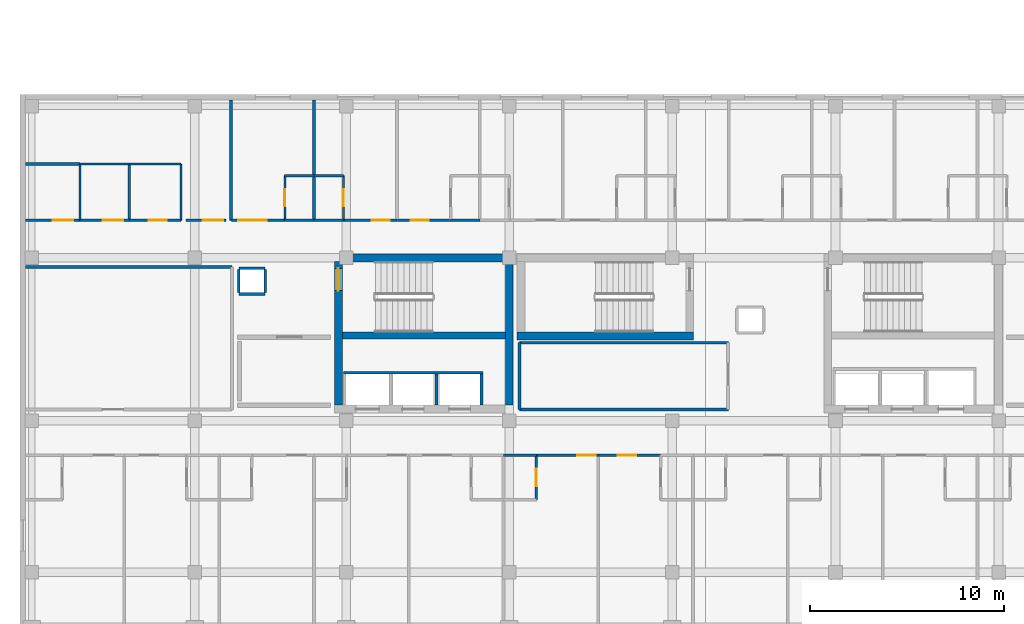
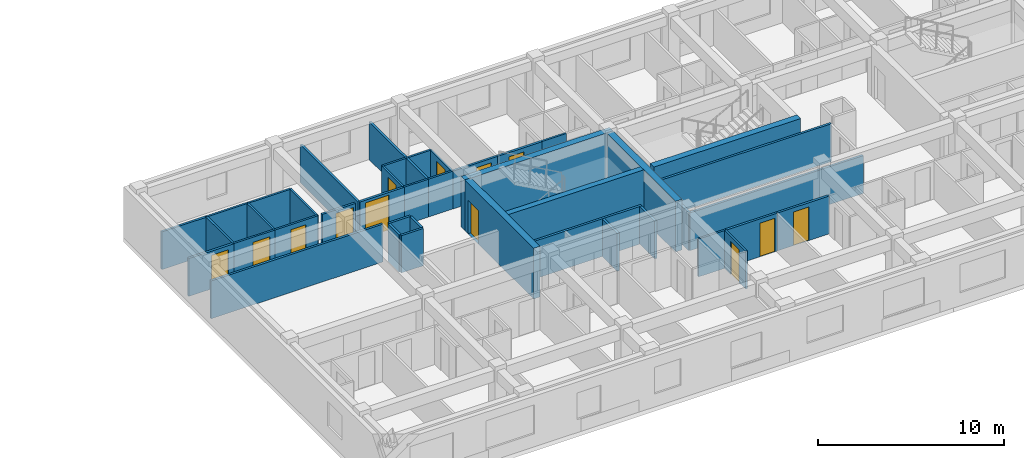
# One storey, part 132 of 144: 42 walls, 13 doors, 13 openings.
"""IFC4 building model written with IfcOpenShell, lengths in metres."""

from ifc_helpers import new_model, si_unit, direction, frame, frame_2d, origin, place, context, subcontext, project, spatial, rectangle, extrude, material, layer, layer_set, type_object, element, fill, save


model = new_model("IFC4")

# Units and contexts
model_context = context("Model", 3, precision=1e-05, world=origin(), true_north=direction((0.0, 1.0)))
body_context = subcontext(model_context, "Body", "Model", "MODEL_VIEW")
ifc_project = project(units=[si_unit("LENGTHUNIT", "METRE"), si_unit("AREAUNIT", "SQUARE_METRE"), si_unit("VOLUMEUNIT", "CUBIC_METRE"), si_unit("PLANEANGLEUNIT", "RADIAN"), si_unit("MASSUNIT", "GRAM", prefix="KILO")], contexts=[model_context])

# Site, building, storey
site_placement = place(None, origin())
site = spatial("IfcSite", under=ifc_project, at=site_placement, CompositionType="ELEMENT")
building_placement = place(site_placement, origin())
building = spatial("IfcBuilding", under=site, at=building_placement, Name="Zayran Congress Hotel", CompositionType="ELEMENT")
storey_placement = place(building_placement, frame((0.0, 0.0, 19.199951171875)))
storey = spatial("IfcBuildingStorey", under=building, at=storey_placement, Name="L04", CompositionType="ELEMENT", Elevation=19.199951171875)

# Wall
ifc_material_1 = material(Name="Concrete C40/50", Category="concrete")
ifc_layer_1 = layer(ifc_material_1, 0.39990234375)
ifc_layer_set_1 = layer_set([ifc_layer_1], Name="Concrete C40/50")
wall_type_1 = type_object("IfcWallType", Name="WL-SH-400", PredefinedType="SHEAR", material=ifc_layer_set_1)
wall_1_placement = place(storey_placement, frame((33.800048828125, 25.5849609375, 0.0), z_axis=(0.0, 0.0, 1.0), x_axis=(-1.0, 0.0, 0.0)))
element("IfcWall", 1, at=wall_1_placement, inside=storey, type_object=wall_type_1, Name="CWALL-C-V5W-L04-N", PredefinedType="SHEAR", context=body_context, shape_type="SweptSolid", body=[
    extrude(rectangle(XDim=9.199951171875, YDim=0.39990234375, at=frame_2d((4.60009765625, 0.0))), origin(), (0.0, 0.0, 1.0), 3.320068359375),
])

# Wall, opening, door
wall_2_placement = place(storey_placement, frame((24.800048828125, 25.39990234375, 0.0), z_axis=(0.0, 0.0, 1.0), x_axis=(0.0, -1.0, 0.0)))
wall_2 = element("IfcWall", 2, at=wall_2_placement, inside=storey, type_object=wall_type_1, Name="CWALL-C-V5W-L04-W", PredefinedType="SHEAR", context=body_context, shape_type="SweptSolid", body=[
    extrude(rectangle(XDim=7.39990234375, YDim=0.39990234375, at=frame_2d((3.699951171875, 0.0))), origin(), (0.0, 0.0, 1.0), 3.320068359375),
])
opening_1_placement = place(wall_2_placement, frame((0.35009765625, 0.0, 0.0)))
opening_1 = element("IfcOpeningElement", 3, at=opening_1_placement, cuts=wall_2, Name="Opening DR-FD-90", PredefinedType="OPENING", context=body_context, shape_type="SweptSolid", body=[
    extrude(rectangle(XDim=1.14990234375, YDim=2.199951171875, at=frame_2d((0.574951171875, 1.10009765625))), frame((0.0, 0.2099609375, 0.0), z_axis=(0.0, -1.0, 0.0), x_axis=(1.0, 0.0, 0.0)), (0.0, 0.0, 1.0), 0.419921875),
])
ifc_material_2 = material(Name="Painted steel fire door assembly", Category="steel")
door_type_1 = type_object("IfcDoorType", Name="TP-DR-FD-90", OperationType="NOTDEFINED", PredefinedType="DOOR", material=ifc_material_2)
door_1_placement = place(opening_1_placement, origin())
door_1 = element("IfcDoor", 4, at=door_1_placement, inside=storey, type_object=door_type_1, Name="ST-01 Exit Stair Door L04", OperationType="SINGLE_SWING_LEFT", OverallHeight=2.199951171875, OverallWidth=1.14990234375, PredefinedType="DOOR", context=body_context, shape_type="SweptSolid", body=[
    extrude(rectangle(XDim=1.14990234375, YDim=2.199951171875, at=frame_2d((0.574951171875, 1.10009765625))), frame((0.0, 0.02490234375, 0.0), z_axis=(0.0, -1.0, 0.0), x_axis=(1.0, 0.0, 0.0)), (0.0, 0.0, 1.0), 0.050048828125),
])
fill(opening_1, door_1)

# Walls
wall_3_placement = place(storey_placement, frame((33.60009765625, 18.0, 0.0), z_axis=(0.0, 0.0, 1.0), x_axis=(0.0, 1.0, 0.0)))
element("IfcWall", 5, at=wall_3_placement, inside=storey, type_object=wall_type_1, Name="CWALL-C-V5W-L04-E", PredefinedType="SHEAR", context=body_context, shape_type="SweptSolid", body=[
    extrude(rectangle(XDim=7.39990234375, YDim=0.39990234375, at=frame_2d((3.699951171875, 0.0))), origin(), (0.0, 0.0, 1.0), 3.320068359375),
])
wall_4_placement = place(storey_placement, frame((34.0, 21.56005859375, 0.0), z_axis=(0.0, 0.0, 1.0), x_axis=(1.0, 0.0, 0.0)))
element("IfcWall", 6, at=wall_4_placement, inside=storey, type_object=wall_type_1, Name="CWALL-C-V5M-L04-S", PredefinedType="SHEAR", context=body_context, shape_type="SweptSolid", body=[
    extrude(rectangle(XDim=9.10009765625, YDim=0.39990234375, at=frame_2d((4.550048828125, 0.0))), origin(), (0.0, 0.0, 1.0), 3.320068359375),
])
ifc_layer_2 = layer(ifc_material_1, 0.35009765625)
ifc_layer_set_2 = layer_set([ifc_layer_2], Name="Concrete C40/50")
wall_type_2 = type_object("IfcWallType", Name="WL-SH-350", PredefinedType="SHEAR", material=ifc_layer_set_2)
wall_5_placement = place(storey_placement, frame((25.0, 21.5849609375, 0.0), z_axis=(0.0, 0.0, 1.0), x_axis=(1.0, 0.0, 0.0)))
element("IfcWall", 7, at=wall_5_placement, inside=storey, type_object=wall_type_2, Name="CWALL-C-V5W-L04-SPN", PredefinedType="SHEAR", context=body_context, shape_type="SweptSolid", body=[
    extrude(rectangle(XDim=8.39990234375, YDim=0.35009765625, at=frame_2d((4.199951171875, 0.0))), origin(), (0.0, 0.0, 1.0), 3.320068359375),
])
ifc_material_3 = material(Name="Hospitality guestroom acoustic partition", Category="gypsum")
ifc_layer_3 = layer(ifc_material_3, 0.139892578125)
ifc_layer_set_3 = layer_set([ifc_layer_3], Name="Hospitality guestroom acoustic partition")
wall_type_3 = type_object("IfcWallType", Name="WL-PT-140", PredefinedType="PARTITIONING", material=ifc_layer_set_3)
for number, where, z_axis, x_axis, name in (
    (8, (29.85009765625, 18.0, 0.0), (0.0, 0.0, 1.0), (0.0, 1.0, 0.0), "LSHW-C-V5W-L04-DIV2"),
    (9, (32.169921875, 18.0, 0.0), (0.0, 0.0, 1.0), (0.0, 1.0, 0.0), "LSHW-C-V5W-L04-E"),
):
    element("IfcWall", number, at=place(storey_placement, frame(where, z_axis=z_axis, x_axis=x_axis)), inside=storey, type_object=wall_type_3, Name=name, PredefinedType="PARTITIONING", context=body_context, shape_type="SweptSolid", body=[
        extrude(rectangle(XDim=1.60009765625, YDim=0.139892578125, at=frame_2d((0.800048828125, 0.0))), origin(), (0.0, 0.0, 1.0), 2.469970703125),
    ])
wall_6_placement = place(storey_placement, frame((25.06005859375, 19.669921875, 0.0), z_axis=(0.0, 0.0, 1.0), x_axis=(1.0, 0.0, 0.0)))
element("IfcWall", 10, at=wall_6_placement, inside=storey, type_object=wall_type_3, Name="LSHW-C-V5W-L04-N", PredefinedType="PARTITIONING", context=body_context, shape_type="SweptSolid", body=[
    extrude(rectangle(XDim=7.179931640625, YDim=0.139892578125, at=frame_2d((3.58984375, 0.0))), origin(), (0.0, 0.0, 1.0), 2.469970703125),
])

# Wall, opening, door
wall_7_placement = place(storey_placement, frame((34.98193359375, 15.419921875, 0.0), z_axis=(0.0, 0.0, 1.0), x_axis=(1.0, 0.0, 0.0)))
wall_7 = element("IfcWall", 11, at=wall_7_placement, inside=storey, type_object=wall_type_3, Name="IW-L04-0623", PredefinedType="PARTITIONING", context=body_context, shape_type="SweptSolid", body=[
    extrude(rectangle(XDim=3.2021484375, YDim=0.139892578125, at=frame_2d((1.60107421875, 0.0))), origin(), (0.0, 0.0, 1.0), 2.47998046875),
])
opening_2_placement = place(wall_7_placement, frame((2.1220703125, 0.0, 0.0)))
opening_2 = element("IfcOpeningElement", 12, at=opening_2_placement, cuts=wall_7, Name="Opening DR-GR-01", PredefinedType="OPENING", context=body_context, shape_type="SweptSolid", body=[
    extrude(rectangle(XDim=0.93994140625, YDim=2.199951171875, at=frame_2d((0.469970703125, 1.10009765625))), frame((0.0, 0.079833984375, 0.0), z_axis=(0.0, -1.0, 0.0), x_axis=(1.0, 0.0, 0.0)), (0.0, 0.0, 1.0), 0.159912109375),
])
ifc_material_4 = material(Name="Acoustic walnut veneer fire-rated entry door", Category="wood")
door_type_2 = type_object("IfcDoorType", Name="TP-DR-GR-01", OperationType="NOTDEFINED", PredefinedType="DOOR", material=ifc_material_4)
door_2_placement = place(opening_2_placement, origin())
door_2 = element("IfcDoor", 13, at=door_2_placement, inside=storey, type_object=door_type_2, Name="Guest Room L04-06 Door", OperationType="SINGLE_SWING_LEFT", OverallHeight=2.199951171875, OverallWidth=0.93994140625, PredefinedType="DOOR", context=body_context, shape_type="SweptSolid", body=[
    extrude(rectangle(XDim=0.93994140625, YDim=2.199951171875, at=frame_2d((0.469970703125, 1.10009765625))), frame((0.0, 0.02490234375, 0.0), z_axis=(0.0, -1.0, 0.0), x_axis=(1.0, 0.0, 0.0)), (0.0, 0.0, 1.0), 0.050048828125),
])
fill(opening_2, door_2)

wall_8_placement = place(storey_placement, frame((38.2041015625, 15.419921875, 0.0), z_axis=(0.0, 0.0, 1.0), x_axis=(1.0, 0.0, 0.0)))
wall_8 = element("IfcWall", 14, at=wall_8_placement, inside=storey, type_object=wall_type_3, Name="IW-L04-0624", PredefinedType="PARTITIONING", context=body_context, shape_type="SweptSolid", body=[
    extrude(rectangle(XDim=3.201904296875, YDim=0.139892578125, at=frame_2d((1.60107421875, 0.0))), origin(), (0.0, 0.0, 1.0), 2.47998046875),
])
opening_3_placement = place(wall_8_placement, frame((0.989013671875, 0.0, 0.0)))
opening_3 = element("IfcOpeningElement", 15, at=opening_3_placement, cuts=wall_8, Name="Opening DR-GR-01", PredefinedType="OPENING", context=body_context, shape_type="SweptSolid", body=[
    extrude(rectangle(XDim=0.93994140625, YDim=2.199951171875, at=frame_2d((0.469970703125, 1.10009765625))), frame((0.0, 0.079833984375, 0.0), z_axis=(0.0, -1.0, 0.0), x_axis=(1.0, 0.0, 0.0)), (0.0, 0.0, 1.0), 0.159912109375),
])
door_3_placement = place(opening_3_placement, origin())
door_3 = element("IfcDoor", 16, at=door_3_placement, inside=storey, type_object=door_type_2, Name="Guest Room L04-07 Door", OperationType="SINGLE_SWING_RIGHT", OverallHeight=2.199951171875, OverallWidth=0.93994140625, PredefinedType="DOOR", context=body_context, shape_type="SweptSolid", body=[
    extrude(rectangle(XDim=0.93994140625, YDim=2.199951171875, at=frame_2d((0.469970703125, 1.10009765625))), frame((0.0, 0.02490234375, 0.0), z_axis=(0.0, -1.0, 0.0), x_axis=(1.0, 0.0, 0.0)), (0.0, 0.0, 1.0), 0.050048828125),
])
fill(opening_3, door_3)

wall_9_placement = place(storey_placement, frame((8.679931640625, 27.530029296875, 0.0), z_axis=(0.0, 0.0, 1.0), x_axis=(1.0, 0.0, 0.0)))
wall_9 = element("IfcWall", 17, at=wall_9_placement, inside=storey, type_object=wall_type_3, Name="IW-L04-0635", PredefinedType="PARTITIONING", context=body_context, shape_type="SweptSolid", body=[
    extrude(rectangle(XDim=2.800048828125, YDim=0.139892578125, at=frame_2d((1.39990234375, 0.0))), origin(), (0.0, 0.0, 1.0), 2.47998046875),
])
opening_4_placement = place(wall_9_placement, frame((1.409912109375, 0.0, 0.0)))
opening_4 = element("IfcOpeningElement", 18, at=opening_4_placement, cuts=wall_9, Name="Opening DR-PL-02", PredefinedType="OPENING", context=body_context, shape_type="SweptSolid", body=[
    extrude(rectangle(XDim=1.06005859375, YDim=2.199951171875, at=frame_2d((0.530029296875, 1.10009765625))), frame((0.0, 0.079833984375, 0.0), z_axis=(0.0, -1.0, 0.0), x_axis=(1.0, 0.0, 0.0)), (0.0, 0.0, 1.0), 0.159912109375),
])
ifc_material_5 = material(Name="Painted steel store room fire door", Category="steel")
door_type_3 = type_object("IfcDoorType", Name="TP-DR-PL-02", OperationType="NOTDEFINED", PredefinedType="DOOR", material=ifc_material_5)
door_4_placement = place(opening_4_placement, origin())
door_4 = element("IfcDoor", 19, at=door_4_placement, inside=storey, type_object=door_type_3, Name="Housekeeping and Linen Store L04 Door", OperationType="SINGLE_SWING_LEFT", OverallHeight=2.199951171875, OverallWidth=1.06005859375, PredefinedType="DOOR", context=body_context, shape_type="SweptSolid", body=[
    extrude(rectangle(XDim=1.06005859375, YDim=2.199951171875, at=frame_2d((0.530029296875, 1.10009765625))), frame((0.0, 0.02490234375, 0.0), z_axis=(0.0, -1.0, 0.0), x_axis=(1.0, 0.0, 0.0)), (0.0, 0.0, 1.0), 0.050048828125),
])
fill(opening_4, door_4)

wall_10_placement = place(storey_placement, frame((16.9599609375, 27.530029296875, 0.0), z_axis=(0.0, 0.0, 1.0), x_axis=(1.0, 0.0, 0.0)))
wall_10 = element("IfcWall", 20, at=wall_10_placement, inside=storey, type_object=wall_type_3, Name="IW-L04-0636", PredefinedType="PARTITIONING", context=body_context, shape_type="SweptSolid", body=[
    extrude(rectangle(XDim=2.06005859375, YDim=0.139892578125, at=frame_2d((1.030029296875, 0.0))), origin(), (0.0, 0.0, 1.0), 2.47998046875),
])
opening_5_placement = place(wall_10_placement, frame((0.840087890625, 0.0, 0.0)))
opening_5 = element("IfcOpeningElement", 21, at=opening_5_placement, cuts=wall_10, Name="Opening DR-MT-01", PredefinedType="OPENING", context=body_context, shape_type="SweptSolid", body=[
    extrude(rectangle(XDim=1.080078125, YDim=2.25, at=frame_2d((0.5400390625, 1.125))), frame((0.0, 0.079833984375, 0.0), z_axis=(0.0, -1.0, 0.0), x_axis=(1.0, 0.0, 0.0)), (0.0, 0.0, 1.0), 0.159912109375),
])
ifc_material_6 = material(Name="Acoustic timber seminar room door", Category="wood")
door_type_4 = type_object("IfcDoorType", Name="TP-DR-MT-01", OperationType="NOTDEFINED", PredefinedType="DOOR", material=ifc_material_6)
door_5_placement = place(opening_5_placement, origin())
door_5 = element("IfcDoor", 22, at=door_5_placement, inside=storey, type_object=door_type_4, Name="Delegate Lounge Salon L04 Door", OperationType="SINGLE_SWING_RIGHT", OverallHeight=2.25, OverallWidth=1.080078125, PredefinedType="DOOR", context=body_context, shape_type="SweptSolid", body=[
    extrude(rectangle(XDim=1.080078125, YDim=2.25, at=frame_2d((0.5400390625, 1.125))), frame((0.0, 0.02490234375, 0.0), z_axis=(0.0, -1.0, 0.0), x_axis=(1.0, 0.0, 0.0)), (0.0, 0.0, 1.0), 0.050048828125),
])
fill(opening_5, door_5)

wall_11_placement = place(storey_placement, frame((19.2900390625, 27.530029296875, 0.0), z_axis=(0.0, 0.0, 1.0), x_axis=(1.0, 0.0, 0.0)))
wall_11 = element("IfcWall", 23, at=wall_11_placement, inside=storey, type_object=wall_type_3, Name="IW-L04-0637", PredefinedType="PARTITIONING", context=body_context, shape_type="SweptSolid", body=[
    extrude(rectangle(XDim=2.7548828125, YDim=0.139892578125, at=frame_2d((1.37744140625, 0.0))), origin(), (0.0, 0.0, 1.0), 2.47998046875),
])
opening_6_placement = place(wall_11_placement, frame((0.360107421875, 0.0, 0.0)))
opening_6 = element("IfcOpeningElement", 24, at=opening_6_placement, cuts=wall_11, Name="Opening DR-ST-01", PredefinedType="OPENING", context=body_context, shape_type="SweptSolid", body=[
    extrude(rectangle(XDim=1.449951171875, YDim=2.300048828125, at=frame_2d((0.72509765625, 1.14990234375))), frame((0.0, 0.079833984375, 0.0), z_axis=(0.0, -1.0, 0.0), x_axis=(1.0, 0.0, 0.0)), (0.0, 0.0, 1.0), 0.159912109375),
])
ifc_material_7 = material(Name="Double walnut veneer suite entry door", Category="wood")
door_type_5 = type_object("IfcDoorType", Name="TP-DR-ST-01", OperationType="DOUBLE_DOOR_SINGLE_SWING", PredefinedType="DOOR", material=ifc_material_7)
door_6_placement = place(opening_6_placement, origin())
door_6 = element("IfcDoor", 25, at=door_6_placement, inside=storey, type_object=door_type_5, Name="Executive Suite L04-18 Door", OperationType="DOUBLE_DOOR_SINGLE_SWING", OverallHeight=2.300048828125, OverallWidth=1.449951171875, PredefinedType="DOOR", context=body_context, shape_type="SweptSolid", body=[
    extrude(rectangle(XDim=1.449951171875, YDim=2.300048828125, at=frame_2d((0.72509765625, 1.14990234375))), frame((0.0, 0.02490234375, 0.0), z_axis=(0.0, -1.0, 0.0), x_axis=(1.0, 0.0, 0.0)), (0.0, 0.0, 1.0), 0.050048828125),
])
fill(opening_6, door_6)

wall_12_placement = place(storey_placement, frame((25.05908203125, 27.530029296875, 0.0), z_axis=(0.0, 0.0, 1.0), x_axis=(1.0, 0.0, 0.0)))
wall_12 = element("IfcWall", 26, at=wall_12_placement, inside=storey, type_object=wall_type_3, Name="IW-L04-0638", PredefinedType="PARTITIONING", context=body_context, shape_type="SweptSolid", body=[
    extrude(rectangle(XDim=2.7548828125, YDim=0.139892578125, at=frame_2d((1.37744140625, 0.0))), origin(), (0.0, 0.0, 1.0), 2.47998046875),
])
opening_7_placement = place(wall_12_placement, frame((1.4560546875, 0.0, 0.0)))
opening_7 = element("IfcOpeningElement", 27, at=opening_7_placement, cuts=wall_12, Name="Opening DR-GR-01", PredefinedType="OPENING", context=body_context, shape_type="SweptSolid", body=[
    extrude(rectangle(XDim=0.93994140625, YDim=2.199951171875, at=frame_2d((0.469970703125, 1.10009765625))), frame((0.0, 0.079833984375, 0.0), z_axis=(0.0, -1.0, 0.0), x_axis=(1.0, 0.0, 0.0)), (0.0, 0.0, 1.0), 0.159912109375),
])
door_7_placement = place(opening_7_placement, origin())
door_7 = element("IfcDoor", 28, at=door_7_placement, inside=storey, type_object=door_type_2, Name="Guest Room L04-19 Door", OperationType="SINGLE_SWING_LEFT", OverallHeight=2.199951171875, OverallWidth=0.93994140625, PredefinedType="DOOR", context=body_context, shape_type="SweptSolid", body=[
    extrude(rectangle(XDim=0.93994140625, YDim=2.199951171875, at=frame_2d((0.469970703125, 1.10009765625))), frame((0.0, 0.02490234375, 0.0), z_axis=(0.0, -1.0, 0.0), x_axis=(1.0, 0.0, 0.0)), (0.0, 0.0, 1.0), 0.050048828125),
])
fill(opening_7, door_7)

wall_13_placement = place(storey_placement, frame((27.833984375, 27.530029296875, 0.0), z_axis=(0.0, 0.0, 1.0), x_axis=(1.0, 0.0, 0.0)))
wall_13 = element("IfcWall", 29, at=wall_13_placement, inside=storey, type_object=wall_type_3, Name="IW-L04-0639", PredefinedType="PARTITIONING", context=body_context, shape_type="SweptSolid", body=[
    extrude(rectangle(XDim=2.75390625, YDim=0.139892578125, at=frame_2d((1.376953125, 0.0))), origin(), (0.0, 0.0, 1.0), 2.47998046875),
])
opening_8_placement = place(wall_13_placement, frame((0.68798828125, 0.0, 0.0)))
opening_8 = element("IfcOpeningElement", 30, at=opening_8_placement, cuts=wall_13, Name="Opening DR-GR-01", PredefinedType="OPENING", context=body_context, shape_type="SweptSolid", body=[
    extrude(rectangle(XDim=0.93994140625, YDim=2.199951171875, at=frame_2d((0.469970703125, 1.10009765625))), frame((0.0, 0.079833984375, 0.0), z_axis=(0.0, -1.0, 0.0), x_axis=(1.0, 0.0, 0.0)), (0.0, 0.0, 1.0), 0.159912109375),
])
door_8_placement = place(opening_8_placement, origin())
door_8 = element("IfcDoor", 31, at=door_8_placement, inside=storey, type_object=door_type_2, Name="Guest Room L04-20 Door", OperationType="SINGLE_SWING_RIGHT", OverallHeight=2.199951171875, OverallWidth=0.93994140625, PredefinedType="DOOR", context=body_context, shape_type="SweptSolid", body=[
    extrude(rectangle(XDim=0.93994140625, YDim=2.199951171875, at=frame_2d((0.469970703125, 1.10009765625))), frame((0.0, 0.02490234375, 0.0), z_axis=(0.0, -1.0, 0.0), x_axis=(1.0, 0.0, 0.0)), (0.0, 0.0, 1.0), 0.050048828125),
])
fill(opening_8, door_8)

# Walls
for number, where, z_axis, x_axis, name in (
    (32, (34.1201171875, 17.780029296875, 0.0), (0.0, 0.0, 1.0), (1.0, 0.0, 0.0), "IW-L04-1937"),
    (33, (34.1201171875, 21.219970703125, 0.0), (0.0, 0.0, 1.0), (1.0, 0.0, 0.0), "IW-L04-1938"),
):
    element("IfcWall", number, at=place(storey_placement, frame(where, z_axis=z_axis, x_axis=x_axis)), inside=storey, type_object=wall_type_3, Name=name, PredefinedType="PARTITIONING", context=body_context, shape_type="SweptSolid", body=[
        extrude(rectangle(XDim=10.759765625, YDim=0.139892578125, at=frame_2d((5.3798828125, 0.0))), origin(), (0.0, 0.0, 1.0), 2.47998046875),
    ])
wall_14_placement = place(storey_placement, frame((34.1298828125, 17.77001953125, 0.0), z_axis=(0.0, 0.0, 1.0), x_axis=(0.0, 1.0, 0.0)))
element("IfcWall", 34, at=wall_14_placement, inside=storey, type_object=wall_type_3, Name="IW-L04-1939", PredefinedType="PARTITIONING", context=body_context, shape_type="SweptSolid", body=[
    extrude(rectangle(XDim=3.4599609375, YDim=0.139892578125, at=frame_2d((1.72998046875, 0.0))), origin(), (0.0, 0.0, 1.0), 2.47998046875),
])
wall_15_placement = place(storey_placement, frame((8.679931640625, 25.1201171875, 0.0), z_axis=(0.0, 0.0, 1.0), x_axis=(1.0, 0.0, 0.0)))
element("IfcWall", 35, at=wall_15_placement, inside=storey, type_object=wall_type_3, Name="IW-L04-1940", PredefinedType="PARTITIONING", context=body_context, shape_type="SweptSolid", body=[
    extrude(rectangle(XDim=10.650146484375, YDim=0.139892578125, at=frame_2d((5.3251953125, 0.0))), origin(), (0.0, 0.0, 1.0), 2.47998046875),
])
wall_16_placement = place(storey_placement, frame((8.679931640625, 30.419921875, 0.0), z_axis=(0.0, 0.0, 1.0), x_axis=(1.0, 0.0, 0.0)))
element("IfcWall", 36, at=wall_16_placement, inside=storey, type_object=wall_type_3, Name="IW-L04-1960", PredefinedType="PARTITIONING", context=body_context, shape_type="SweptSolid", body=[
    extrude(rectangle(XDim=2.800048828125, YDim=0.139892578125, at=frame_2d((1.39990234375, 0.0))), origin(), (0.0, 0.0, 1.0), 2.47998046875),
])
for number, where, z_axis, x_axis, name in (
    (37, (19.27001953125, 27.52001953125, 0.0), (0.0, 0.0, 1.0), (0.0, 1.0, 0.0), "IW-L04-1961"),
    (38, (23.5419921875, 27.52001953125, 0.0), (0.0, 0.0, 1.0), (0.0, 1.0, 0.0), "IW-L04-1962"),
):
    element("IfcWall", number, at=place(storey_placement, frame(where, z_axis=z_axis, x_axis=x_axis)), inside=storey, type_object=wall_type_3, Name=name, PredefinedType="PARTITIONING", context=body_context, shape_type="SweptSolid", body=[
        extrude(rectangle(XDim=6.199951171875, YDim=0.139892578125, at=frame_2d((3.10009765625, 0.0))), origin(), (0.0, 0.0, 1.0), 2.47998046875),
    ])
for number, where, z_axis, x_axis, name in (
    (39, (19.669921875, 23.72998046875, 0.0), (0.0, 0.0, 1.0), (1.0, 0.0, 0.0), "RSWL-V5-L04-035-S"),
    (40, (21.030029296875, 25.050048828125, 0.0), (0.0, 0.0, 1.0), (-1.0, 0.0, 0.0), "RSWL-V5-L04-035-N"),
):
    element("IfcWall", number, at=place(storey_placement, frame(where, z_axis=z_axis, x_axis=x_axis)), inside=storey, type_object=wall_type_3, Name=name, PredefinedType="PARTITIONING", context=body_context, shape_type="SweptSolid", body=[
        extrude(rectangle(XDim=1.360107421875, YDim=0.139892578125, at=frame_2d((0.68017578125, 0.0))), origin(), (0.0, 0.0, 1.0), 2.43994140625),
    ])
for number, where, z_axis, x_axis, name in (
    (41, (19.669921875, 24.97998046875, 0.0), (0.0, 0.0, 1.0), (0.0, -1.0, 0.0), "RSWL-V5-L04-035-W"),
    (42, (21.030029296875, 23.800048828125, 0.0), (0.0, 0.0, 1.0), (0.0, 1.0, 0.0), "RSWL-V5-L04-035-E"),
):
    element("IfcWall", number, at=place(storey_placement, frame(where, z_axis=z_axis, x_axis=x_axis)), inside=storey, type_object=wall_type_3, Name=name, PredefinedType="PARTITIONING", context=body_context, shape_type="SweptSolid", body=[
        extrude(rectangle(XDim=1.179931640625, YDim=0.139892578125, at=frame_2d((0.58984375, 0.0))), origin(), (0.0, 0.0, 1.0), 2.43994140625),
    ])

# Wall, opening, door
ifc_material_8 = material(Name="Moisture-resistant bathroom partition", Category="gypsum")
ifc_layer_4 = layer(ifc_material_8, 0.1201171875)
ifc_layer_set_4 = layer_set([ifc_layer_4], Name="Moisture-resistant bathroom partition")
wall_type_4 = type_object("IfcWallType", Name="WL-PT-120", PredefinedType="PARTITIONING", material=ifc_layer_set_4)
wall_17_placement = place(storey_placement, frame((34.98193359375, 13.1201171875, 0.0), z_axis=(0.0, 0.0, 1.0), x_axis=(0.0, 1.0, 0.0)))
wall_17 = element("IfcWall", 43, at=wall_17_placement, inside=storey, type_object=wall_type_4, Name="IW-L04-0132", PredefinedType="PARTITIONING", context=body_context, shape_type="SweptSolid", body=[
    extrude(rectangle(XDim=2.309814453125, YDim=0.1201171875, at=frame_2d((1.15478515625, 0.0))), origin(), (0.0, 0.0, 1.0), 2.47998046875),
])
opening_9_placement = place(wall_17_placement, frame((0.715087890625, 0.0, 0.0)))
opening_9 = element("IfcOpeningElement", 44, at=opening_9_placement, cuts=wall_17, Name="Opening DR-BT-01", PredefinedType="OPENING", context=body_context, shape_type="SweptSolid", body=[
    extrude(rectangle(XDim=0.8798828125, YDim=2.14990234375, at=frame_2d((0.43994140625, 1.074951171875))), frame((0.0, 0.070068359375, 0.0), z_axis=(0.0, -1.0, 0.0), x_axis=(1.0, 0.0, 0.0)), (0.0, 0.0, 1.0), 0.14013671875),
])
ifc_material_9 = material(Name="Moisture-resistant oak en-suite door", Category="wood")
door_type_6 = type_object("IfcDoorType", Name="TP-DR-BT-01", OperationType="NOTDEFINED", PredefinedType="DOOR", material=ifc_material_9)
door_9_placement = place(opening_9_placement, origin())
door_9 = element("IfcDoor", 45, at=door_9_placement, inside=storey, type_object=door_type_6, Name="En-Suite Bathroom L04-06 Door", OperationType="SINGLE_SWING_LEFT", OverallHeight=2.14990234375, OverallWidth=0.8798828125, PredefinedType="DOOR", context=body_context, shape_type="SweptSolid", body=[
    extrude(rectangle(XDim=0.8798828125, YDim=2.14990234375, at=frame_2d((0.43994140625, 1.074951171875))), frame((0.0, 0.02490234375, 0.0), z_axis=(0.0, -1.0, 0.0), x_axis=(1.0, 0.0, 0.0)), (0.0, 0.0, 1.0), 0.050048828125),
])
fill(opening_9, door_9)

wall_18_placement = place(storey_placement, frame((22.044921875, 27.52001953125, 0.0), z_axis=(0.0, 0.0, 1.0), x_axis=(0.0, 1.0, 0.0)))
wall_18 = element("IfcWall", 46, at=wall_18_placement, inside=storey, type_object=wall_type_4, Name="IW-L04-0144", PredefinedType="PARTITIONING", context=body_context, shape_type="SweptSolid", body=[
    extrude(rectangle(XDim=2.31005859375, YDim=0.1201171875, at=frame_2d((1.155029296875, 0.0))), origin(), (0.0, 0.0, 1.0), 2.47998046875),
])
opening_10_placement = place(wall_18_placement, frame((0.715087890625, 0.0, 0.0)))
opening_10 = element("IfcOpeningElement", 47, at=opening_10_placement, cuts=wall_18, Name="Opening DR-BT-01", PredefinedType="OPENING", context=body_context, shape_type="SweptSolid", body=[
    extrude(rectangle(XDim=0.8798828125, YDim=2.14990234375, at=frame_2d((0.43994140625, 1.074951171875))), frame((0.0, 0.070068359375, 0.0), z_axis=(0.0, -1.0, 0.0), x_axis=(1.0, 0.0, 0.0)), (0.0, 0.0, 1.0), 0.14013671875),
])
door_10_placement = place(opening_10_placement, origin())
door_10 = element("IfcDoor", 48, at=door_10_placement, inside=storey, type_object=door_type_6, Name="En-Suite Bathroom L04-18 Door", OperationType="SINGLE_SWING_LEFT", OverallHeight=2.14990234375, OverallWidth=0.8798828125, PredefinedType="DOOR", context=body_context, shape_type="SweptSolid", body=[
    extrude(rectangle(XDim=0.8798828125, YDim=2.14990234375, at=frame_2d((0.43994140625, 1.074951171875))), frame((0.0, 0.02490234375, 0.0), z_axis=(0.0, -1.0, 0.0), x_axis=(1.0, 0.0, 0.0)), (0.0, 0.0, 1.0), 0.050048828125),
])
fill(opening_10, door_10)

wall_19_placement = place(storey_placement, frame((25.05908203125, 27.52001953125, 0.0), z_axis=(0.0, 0.0, 1.0), x_axis=(0.0, 1.0, 0.0)))
wall_19 = element("IfcWall", 49, at=wall_19_placement, inside=storey, type_object=wall_type_4, Name="IW-L04-0145", PredefinedType="PARTITIONING", context=body_context, shape_type="SweptSolid", body=[
    extrude(rectangle(XDim=2.31005859375, YDim=0.1201171875, at=frame_2d((1.155029296875, 0.0))), origin(), (0.0, 0.0, 1.0), 2.47998046875),
])
opening_11_placement = place(wall_19_placement, frame((0.715087890625, 0.0, 0.0)))
opening_11 = element("IfcOpeningElement", 50, at=opening_11_placement, cuts=wall_19, Name="Opening DR-BT-01", PredefinedType="OPENING", context=body_context, shape_type="SweptSolid", body=[
    extrude(rectangle(XDim=0.8798828125, YDim=2.14990234375, at=frame_2d((0.43994140625, 1.074951171875))), frame((0.0, 0.070068359375, 0.0), z_axis=(0.0, -1.0, 0.0), x_axis=(1.0, 0.0, 0.0)), (0.0, 0.0, 1.0), 0.14013671875),
])
door_11_placement = place(opening_11_placement, origin())
door_11 = element("IfcDoor", 51, at=door_11_placement, inside=storey, type_object=door_type_6, Name="En-Suite Bathroom L04-19 Door", OperationType="SINGLE_SWING_RIGHT", OverallHeight=2.14990234375, OverallWidth=0.8798828125, PredefinedType="DOOR", context=body_context, shape_type="SweptSolid", body=[
    extrude(rectangle(XDim=0.8798828125, YDim=2.14990234375, at=frame_2d((0.43994140625, 1.074951171875))), frame((0.0, 0.02490234375, 0.0), z_axis=(0.0, -1.0, 0.0), x_axis=(1.0, 0.0, 0.0)), (0.0, 0.0, 1.0), 0.050048828125),
])
fill(opening_11, door_11)

wall_20_placement = place(storey_placement, frame((11.47998046875, 27.530029296875, 0.0), z_axis=(0.0, 0.0, 1.0), x_axis=(1.0, 0.0, 0.0)))
wall_20 = element("IfcWall", 52, at=wall_20_placement, inside=storey, type_object=wall_type_4, Name="IW-L04-0363", PredefinedType="PARTITIONING", context=body_context, shape_type="SweptSolid", body=[
    extrude(rectangle(XDim=2.56005859375, YDim=0.1201171875, at=frame_2d((1.280029296875, 0.0))), origin(), (0.0, 0.0, 1.0), 2.47998046875),
])
opening_12_placement = place(wall_20_placement, frame((1.18994140625, 0.0, 0.0)))
opening_12 = element("IfcOpeningElement", 53, at=opening_12_placement, cuts=wall_20, Name="Opening DR-WC-02", PredefinedType="OPENING", context=body_context, shape_type="SweptSolid", body=[
    extrude(rectangle(XDim=1.0400390625, YDim=2.14990234375, at=frame_2d((0.52001953125, 1.074951171875))), frame((0.0, 0.070068359375, 0.0), z_axis=(0.0, -1.0, 0.0), x_axis=(1.0, 0.0, 0.0)), (0.0, 0.0, 1.0), 0.14013671875),
])
ifc_material_10 = material(Name="Accessible public washroom door", Category="steel")
door_type_7 = type_object("IfcDoorType", Name="TP-DR-WC-02", OperationType="NOTDEFINED", PredefinedType="DOOR", material=ifc_material_10)
door_12_placement = place(opening_12_placement, origin())
door_12 = element("IfcDoor", 54, at=door_12_placement, inside=storey, type_object=door_type_7, Name="Accessible WC L04 Door", OperationType="SINGLE_SWING_RIGHT", OverallHeight=2.14990234375, OverallWidth=1.0400390625, PredefinedType="DOOR", context=body_context, shape_type="SweptSolid", body=[
    extrude(rectangle(XDim=1.0400390625, YDim=2.14990234375, at=frame_2d((0.52001953125, 1.074951171875))), frame((0.0, 0.02490234375, 0.0), z_axis=(0.0, -1.0, 0.0), x_axis=(1.0, 0.0, 0.0)), (0.0, 0.0, 1.0), 0.050048828125),
])
fill(opening_12, door_12)

wall_21_placement = place(storey_placement, frame((14.0400390625, 27.530029296875, 0.0), z_axis=(0.0, 0.0, 1.0), x_axis=(1.0, 0.0, 0.0)))
wall_21 = element("IfcWall", 55, at=wall_21_placement, inside=storey, type_object=wall_type_4, Name="IW-L04-0364", PredefinedType="PARTITIONING", context=body_context, shape_type="SweptSolid", body=[
    extrude(rectangle(XDim=2.659912109375, YDim=0.1201171875, at=frame_2d((1.330078125, 0.0))), origin(), (0.0, 0.0, 1.0), 2.47998046875),
])
opening_13_placement = place(wall_21_placement, frame((0.986083984375, 0.0, 0.0)))
opening_13 = element("IfcOpeningElement", 56, at=opening_13_placement, cuts=wall_21, Name="Opening DR-WC-01", PredefinedType="OPENING", context=body_context, shape_type="SweptSolid", body=[
    extrude(rectangle(XDim=0.919921875, YDim=2.14990234375, at=frame_2d((0.4599609375, 1.074951171875))), frame((0.0, 0.070068359375, 0.0), z_axis=(0.0, -1.0, 0.0), x_axis=(1.0, 0.0, 0.0)), (0.0, 0.0, 1.0), 0.14013671875),
])
ifc_material_11 = material(Name="Laminated timber public washroom door", Category="wood")
door_type_8 = type_object("IfcDoorType", Name="TP-DR-WC-01", OperationType="NOTDEFINED", PredefinedType="DOOR", material=ifc_material_11)
door_13_placement = place(opening_13_placement, origin())
door_13 = element("IfcDoor", 57, at=door_13_placement, inside=storey, type_object=door_type_8, Name="Public WC L04 Door", OperationType="SINGLE_SWING_LEFT", OverallHeight=2.14990234375, OverallWidth=0.919921875, PredefinedType="DOOR", context=body_context, shape_type="SweptSolid", body=[
    extrude(rectangle(XDim=0.919921875, YDim=2.14990234375, at=frame_2d((0.4599609375, 1.074951171875))), frame((0.0, 0.02490234375, 0.0), z_axis=(0.0, -1.0, 0.0), x_axis=(1.0, 0.0, 0.0)), (0.0, 0.0, 1.0), 0.050048828125),
])
fill(opening_13, door_13)

# Walls
wall_22_placement = place(storey_placement, frame((33.31201171875, 15.419921875, 0.0), z_axis=(0.0, 0.0, 1.0), x_axis=(1.0, 0.0, 0.0)))
element("IfcWall", 58, at=wall_22_placement, inside=storey, type_object=wall_type_4, Name="IW-L04-1132", PredefinedType="PARTITIONING", context=body_context, shape_type="SweptSolid", body=[
    extrude(rectangle(XDim=1.679931640625, YDim=0.1201171875, at=frame_2d((0.83984375, 0.0))), origin(), (0.0, 0.0, 1.0), 2.47998046875),
])
for number, where, z_axis, x_axis, name in (
    (59, (22.034912109375, 27.530029296875, 0.0), (0.0, 0.0, 1.0), (1.0, 0.0, 0.0), "IW-L04-1155"),
    (60, (22.034912109375, 29.820068359375, 0.0), (0.0, 0.0, 1.0), (1.0, 0.0, 0.0), "IW-L04-1156"),
    (61, (23.552001953125, 27.530029296875, 0.0), (0.0, 0.0, 1.0), (1.0, 0.0, 0.0), "IW-L04-1157"),
    (62, (23.552001953125, 29.820068359375, 0.0), (0.0, 0.0, 1.0), (1.0, 0.0, 0.0), "IW-L04-1158"),
    (63, (30.577880859375, 27.530029296875, 0.0), (0.0, 0.0, 1.0), (1.0, 0.0, 0.0), "IW-L04-1159"),
):
    element("IfcWall", number, at=place(storey_placement, frame(where, z_axis=z_axis, x_axis=x_axis)), inside=storey, type_object=wall_type_4, Name=name, PredefinedType="PARTITIONING", context=body_context, shape_type="SweptSolid", body=[
        extrude(rectangle(XDim=1.51708984375, YDim=0.1201171875, at=frame_2d((0.758544921875, 0.0))), origin(), (0.0, 0.0, 1.0), 2.47998046875),
    ])
wall_23_placement = place(storey_placement, frame((11.47998046875, 30.419921875, 0.0), z_axis=(0.0, 0.0, 1.0), x_axis=(1.0, 0.0, 0.0)))
element("IfcWall", 64, at=wall_23_placement, inside=storey, type_object=wall_type_4, Name="IW-L04-1592", PredefinedType="PARTITIONING", context=body_context, shape_type="SweptSolid", body=[
    extrude(rectangle(XDim=2.56005859375, YDim=0.1201171875, at=frame_2d((1.280029296875, 0.0))), origin(), (0.0, 0.0, 1.0), 2.47998046875),
])
for number, where, z_axis, x_axis, name in (
    (65, (11.489990234375, 27.52001953125, 0.0), (0.0, 0.0, 1.0), (0.0, 1.0, 0.0), "IW-L04-1593"),
    (66, (14.030029296875, 27.52001953125, 0.0), (0.0, 0.0, 1.0), (0.0, 1.0, 0.0), "IW-L04-1594"),
):
    element("IfcWall", number, at=place(storey_placement, frame(where, z_axis=z_axis, x_axis=x_axis)), inside=storey, type_object=wall_type_4, Name=name, PredefinedType="PARTITIONING", context=body_context, shape_type="SweptSolid", body=[
        extrude(rectangle(XDim=2.909912109375, YDim=0.1201171875, at=frame_2d((1.455078125, 0.0))), origin(), (0.0, 0.0, 1.0), 2.47998046875),
    ])
wall_24_placement = place(storey_placement, frame((14.0400390625, 30.419921875, 0.0), z_axis=(0.0, 0.0, 1.0), x_axis=(1.0, 0.0, 0.0)))
element("IfcWall", 67, at=wall_24_placement, inside=storey, type_object=wall_type_4, Name="IW-L04-1595", PredefinedType="PARTITIONING", context=body_context, shape_type="SweptSolid", body=[
    extrude(rectangle(XDim=2.659912109375, YDim=0.1201171875, at=frame_2d((1.330078125, 0.0))), origin(), (0.0, 0.0, 1.0), 2.47998046875),
])
wall_25_placement = place(storey_placement, frame((16.68994140625, 27.52001953125, 0.0), z_axis=(0.0, 0.0, 1.0), x_axis=(0.0, 1.0, 0.0)))
element("IfcWall", 68, at=wall_25_placement, inside=storey, type_object=wall_type_4, Name="IW-L04-1596", PredefinedType="PARTITIONING", context=body_context, shape_type="SweptSolid", body=[
    extrude(rectangle(XDim=2.909912109375, YDim=0.1201171875, at=frame_2d((1.455078125, 0.0))), origin(), (0.0, 0.0, 1.0), 2.47998046875),
])

save(model, "model.ifc")
